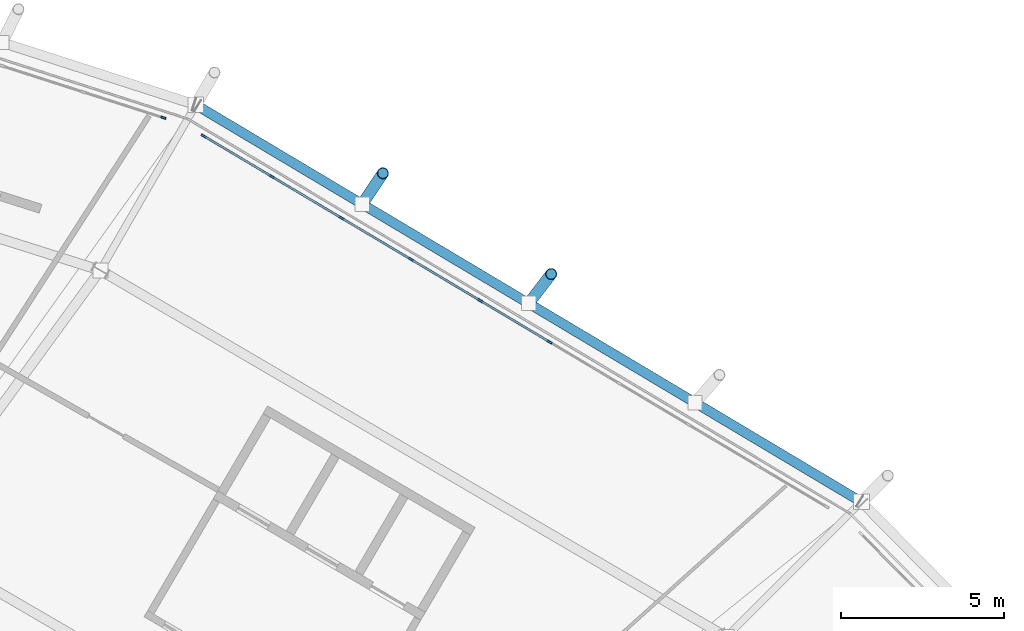
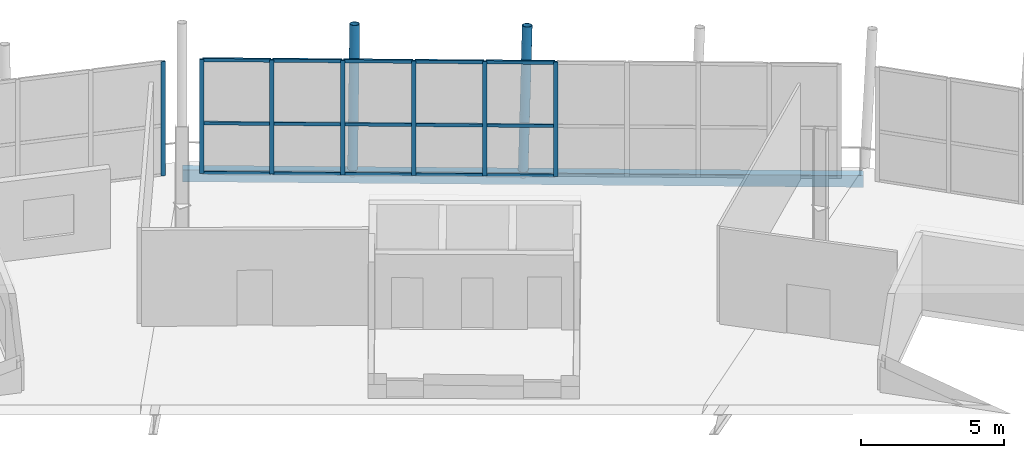
# One storey, part 51 of 99: 24 members, 1 beam, 2 elements without a shape of their own.
"""IFC4 building model written with IfcOpenShell, lengths in metres."""

from ifc_helpers import new_model, si_unit, direction, frame, origin, origin_2d, place, context, subcontext, project, spatial, rectangle, hollow_rectangle, hollow_circle, extrude, material, material_profile, profile_set, type_object, element, aggregate, save


model = new_model("IFC4")

# Units and contexts
model_context = context("Model", 3, precision=1e-05, world=origin(), true_north=direction((0.0, 1.0)))
body_context = subcontext(model_context, "Body", "Model", "MODEL_VIEW")
ifc_project = project(units=[si_unit("LENGTHUNIT", "METRE"), si_unit("AREAUNIT", "SQUARE_METRE"), si_unit("VOLUMEUNIT", "CUBIC_METRE"), si_unit("PLANEANGLEUNIT", "RADIAN"), si_unit("MASSUNIT", "GRAM", prefix="KILO")], contexts=[model_context])

# Site, building, storey
site_placement = place(None, origin())
site = spatial("IfcSite", under=ifc_project, at=site_placement, CompositionType="ELEMENT")
building_placement = place(site_placement, origin())
building = spatial("IfcBuilding", under=site, at=building_placement, Name="Zlatoyarsky Gate Stadium", CompositionType="ELEMENT")
storey_placement = place(building_placement, frame((0.0, 0.0, 26.199951171875)))
storey = spatial("IfcBuildingStorey", under=building, at=storey_placement, Name="L05", CompositionType="ELEMENT", Elevation=26.199951171875)

# Curtain wall, members
ifc_material_1 = material(Name="Thermally broken anodised aluminium curtain wall", Category="aluminium")
curtain_wall_type = type_object("IfcCurtainWallType", Name="UNITISED SKYBOX RING GLAZING L05", PredefinedType="USERDEFINED", material=ifc_material_1)
curtain_wall_1_placement = place(storey_placement, origin())
curtain_wall_1 = element("IfcCurtainWall", 1, at=curtain_wall_1_placement, inside=storey, type_object=curtain_wall_type, Name="Curtain wall CW-L05-03", ObjectType="UNITISED GLAZING", PredefinedType="USERDEFINED")
ifc_material_2 = material(Name="Anodised aluminium 6063-T6", Category="aluminium")
ifc_material_profile_1 = material_profile(ifc_material_2, rectangle(XDim=0.06494140625, YDim=0.159912109375, at=origin_2d()), Name="ALU 65X160")
ifc_profile_set_1 = profile_set([ifc_material_profile_1], Name="Anodised aluminium 6063-T6")
member_type_1 = type_object("IfcMemberType", Name="ALUMINIUM MULLION 65X160", PredefinedType="MULLION", material=ifc_profile_set_1)
member_1_placement = place(storey_placement, frame((171.3232421875, 139.283447265625, 0.0), z_axis=(0.0, 0.0, 1.0), x_axis=(-0.511577166542, -0.859237337802, 0.0)))
member_1 = element("IfcMember", 2, at=member_1_placement, type_object=member_type_1, Name="CW-UG5 mullion 5", PredefinedType="MULLION", context=body_context, shape_type="SweptSolid", body=[
    extrude(rectangle(XDim=0.06494140625, YDim=0.159912109375, at=origin_2d()), origin(), (0.0, 0.0, 1.0), 4.880126953125),
])
member_2_placement = place(storey_placement, frame((169.188232421875, 140.5546875, 0.0), z_axis=(0.0, 0.0, 1.0), x_axis=(-0.511577166542, -0.859237337802, 0.0)))
member_2 = element("IfcMember", 3, at=member_2_placement, type_object=member_type_1, Name="CW-UG5 mullion 6", PredefinedType="MULLION", context=body_context, shape_type="SweptSolid", body=[
    extrude(rectangle(XDim=0.06494140625, YDim=0.159912109375, at=origin_2d()), origin(), (0.0, 0.0, 1.0), 4.880126953125),
])
member_3_placement = place(storey_placement, frame((167.052978515625, 141.825927734375, 0.0), z_axis=(0.0, 0.0, 1.0), x_axis=(-0.511577166542, -0.859237337802, 0.0)))
member_3 = element("IfcMember", 4, at=member_3_placement, type_object=member_type_1, Name="CW-UG5 mullion 7", PredefinedType="MULLION", context=body_context, shape_type="SweptSolid", body=[
    extrude(rectangle(XDim=0.06494140625, YDim=0.159912109375, at=origin_2d()), origin(), (0.0, 0.0, 1.0), 4.880126953125),
])
member_4_placement = place(storey_placement, frame((164.91796875, 143.09716796875, 0.0), z_axis=(0.0, 0.0, 1.0), x_axis=(-0.511577166542, -0.859237337802, 0.0)))
member_4 = element("IfcMember", 5, at=member_4_placement, type_object=member_type_1, Name="CW-UG5 mullion 8", PredefinedType="MULLION", context=body_context, shape_type="SweptSolid", body=[
    extrude(rectangle(XDim=0.06494140625, YDim=0.159912109375, at=origin_2d()), origin(), (0.0, 0.0, 1.0), 4.880126953125),
])
member_5_placement = place(storey_placement, frame((162.78271484375, 144.368408203125, 0.0), z_axis=(0.0, 0.0, 1.0), x_axis=(-0.511577166542, -0.859237337802, 0.0)))
member_5 = element("IfcMember", 6, at=member_5_placement, type_object=member_type_1, Name="CW-UG5 mullion 9", PredefinedType="MULLION", context=body_context, shape_type="SweptSolid", body=[
    extrude(rectangle(XDim=0.06494140625, YDim=0.159912109375, at=origin_2d()), origin(), (0.0, 0.0, 1.0), 4.880126953125),
])
member_6_placement = place(storey_placement, frame((160.675537109375, 145.623046875, 0.0), z_axis=(0.0, 0.0, 1.0), x_axis=(-0.511577166542, -0.859237337802, 0.0)))
member_6 = element("IfcMember", 7, at=member_6_placement, type_object=member_type_1, Name="CW-UG5 mullion 10", PredefinedType="MULLION", context=body_context, shape_type="SweptSolid", body=[
    extrude(rectangle(XDim=0.06494140625, YDim=0.159912109375, at=origin_2d()), origin(), (0.0, 0.0, 1.0), 4.880126953125),
])

# Curtain wall, member
curtain_wall_2_placement = place(storey_placement, origin())
curtain_wall_2 = element("IfcCurtainWall", 8, at=curtain_wall_2_placement, inside=storey, type_object=curtain_wall_type, Name="Curtain wall CW-L05-04", ObjectType="UNITISED GLAZING", PredefinedType="USERDEFINED")
member_7_placement = place(storey_placement, frame((159.439453125, 146.18115234375, 0.0), z_axis=(0.0, 0.0, 1.0), x_axis=(-0.305978007283, -0.952038580657, 0.0)))
member_7 = element("IfcMember", 9, at=member_7_placement, type_object=member_type_1, Name="CW-UG5 mullion 1", PredefinedType="MULLION", context=body_context, shape_type="SweptSolid", body=[
    extrude(rectangle(XDim=0.06494140625, YDim=0.159912109375, at=origin_2d()), origin(), (0.0, 0.0, 1.0), 4.880126953125),
])
aggregate(curtain_wall_2, [member_7])

# Member
ifc_material_profile_2 = material_profile(ifc_material_2, rectangle(XDim=0.06494140625, YDim=0.139892578125, at=origin_2d()), Name="ALU 65X140")
ifc_profile_set_2 = profile_set([ifc_material_profile_2], Name="Anodised aluminium 6063-T6")
member_type_2 = type_object("IfcMemberType", Name="ALUMINIUM TRANSOM 65X140", PredefinedType="USERDEFINED", material=ifc_profile_set_2)
member_8_placement = place(storey_placement, frame((171.29541015625, 139.300048828125, 0.032470703125), z_axis=(-0.859232702525, 0.511584951803, 0.0), x_axis=(-0.511584951803, -0.859232702525, 0.0)))
member_8 = element("IfcMember", 10, at=member_8_placement, type_object=member_type_2, Name="CW-UG5 transom 5.1", ObjectType="TRANSOM", PredefinedType="USERDEFINED", context=body_context, shape_type="SweptSolid", body=[
    extrude(rectangle(XDim=0.06494140625, YDim=0.139892578125, at=origin_2d()), origin(), (0.0, 0.0, 1.0), 2.419921875),
])

member_9_placement = place(storey_placement, frame((171.29541015625, 139.300048828125, 2.150146484375), z_axis=(-0.859232702525, 0.511584951803, 0.0), x_axis=(-0.511584951803, -0.859232702525, 0.0)))
member_9 = element("IfcMember", 11, at=member_9_placement, type_object=member_type_2, Name="CW-UG5 transom 5.2", ObjectType="TRANSOM", PredefinedType="USERDEFINED", context=body_context, shape_type="SweptSolid", body=[
    extrude(rectangle(XDim=0.06494140625, YDim=0.139892578125, at=origin_2d()), origin(), (0.0, 0.0, 1.0), 2.419921875),
])

member_10_placement = place(storey_placement, frame((171.29541015625, 139.300048828125, 4.84765625), z_axis=(-0.859232702525, 0.511584951803, 0.0), x_axis=(-0.511584951803, -0.859232702525, 0.0)))
member_10 = element("IfcMember", 12, at=member_10_placement, type_object=member_type_2, Name="CW-UG5 transom 5.3", ObjectType="TRANSOM", PredefinedType="USERDEFINED", context=body_context, shape_type="SweptSolid", body=[
    extrude(rectangle(XDim=0.06494140625, YDim=0.139892578125, at=origin_2d()), origin(), (0.0, 0.0, 1.0), 2.419921875),
])

member_11_placement = place(storey_placement, frame((169.16015625, 140.5712890625, 0.032470703125), z_axis=(-0.859206295703, 0.511629300788, 0.0), x_axis=(-0.511629300788, -0.859206295703, 0.0)))
member_11 = element("IfcMember", 13, at=member_11_placement, type_object=member_type_2, Name="CW-UG5 transom 6.1", ObjectType="TRANSOM", PredefinedType="USERDEFINED", context=body_context, shape_type="SweptSolid", body=[
    extrude(rectangle(XDim=0.06494140625, YDim=0.139892578125, at=origin_2d()), origin(), (0.0, 0.0, 1.0), 2.419677734375),
])

member_12_placement = place(storey_placement, frame((169.16015625, 140.5712890625, 2.150146484375), z_axis=(-0.859206295703, 0.511629300788, 0.0), x_axis=(-0.511629300788, -0.859206295703, 0.0)))
member_12 = element("IfcMember", 14, at=member_12_placement, type_object=member_type_2, Name="CW-UG5 transom 6.2", ObjectType="TRANSOM", PredefinedType="USERDEFINED", context=body_context, shape_type="SweptSolid", body=[
    extrude(rectangle(XDim=0.06494140625, YDim=0.139892578125, at=origin_2d()), origin(), (0.0, 0.0, 1.0), 2.419677734375),
])

member_13_placement = place(storey_placement, frame((169.16015625, 140.5712890625, 4.84765625), z_axis=(-0.859206295703, 0.511629300788, 0.0), x_axis=(-0.511629300788, -0.859206295703, 0.0)))
member_13 = element("IfcMember", 15, at=member_13_placement, type_object=member_type_2, Name="CW-UG5 transom 6.3", ObjectType="TRANSOM", PredefinedType="USERDEFINED", context=body_context, shape_type="SweptSolid", body=[
    extrude(rectangle(XDim=0.06494140625, YDim=0.139892578125, at=origin_2d()), origin(), (0.0, 0.0, 1.0), 2.419677734375),
])

member_14_placement = place(storey_placement, frame((167.025146484375, 141.842529296875, 0.032470703125), z_axis=(-0.859232702525, 0.511584951803, 0.0), x_axis=(-0.511584951803, -0.859232702525, 0.0)))
member_14 = element("IfcMember", 16, at=member_14_placement, type_object=member_type_2, Name="CW-UG5 transom 7.1", ObjectType="TRANSOM", PredefinedType="USERDEFINED", context=body_context, shape_type="SweptSolid", body=[
    extrude(rectangle(XDim=0.06494140625, YDim=0.139892578125, at=origin_2d()), origin(), (0.0, 0.0, 1.0), 2.419921875),
])

member_15_placement = place(storey_placement, frame((167.025146484375, 141.842529296875, 2.150146484375), z_axis=(-0.859232702525, 0.511584951803, 0.0), x_axis=(-0.511584951803, -0.859232702525, 0.0)))
member_15 = element("IfcMember", 17, at=member_15_placement, type_object=member_type_2, Name="CW-UG5 transom 7.2", ObjectType="TRANSOM", PredefinedType="USERDEFINED", context=body_context, shape_type="SweptSolid", body=[
    extrude(rectangle(XDim=0.06494140625, YDim=0.139892578125, at=origin_2d()), origin(), (0.0, 0.0, 1.0), 2.419921875),
])

member_16_placement = place(storey_placement, frame((167.025146484375, 141.842529296875, 4.84765625), z_axis=(-0.859232702525, 0.511584951803, 0.0), x_axis=(-0.511584951803, -0.859232702525, 0.0)))
member_16 = element("IfcMember", 18, at=member_16_placement, type_object=member_type_2, Name="CW-UG5 transom 7.3", ObjectType="TRANSOM", PredefinedType="USERDEFINED", context=body_context, shape_type="SweptSolid", body=[
    extrude(rectangle(XDim=0.06494140625, YDim=0.139892578125, at=origin_2d()), origin(), (0.0, 0.0, 1.0), 2.419921875),
])

member_17_placement = place(storey_placement, frame((164.889892578125, 143.11376953125, 0.032470703125), z_axis=(-0.859206295703, 0.511629300788, 0.0), x_axis=(-0.511629300788, -0.859206295703, 0.0)))
member_17 = element("IfcMember", 19, at=member_17_placement, type_object=member_type_2, Name="CW-UG5 transom 8.1", ObjectType="TRANSOM", PredefinedType="USERDEFINED", context=body_context, shape_type="SweptSolid", body=[
    extrude(rectangle(XDim=0.06494140625, YDim=0.139892578125, at=origin_2d()), origin(), (0.0, 0.0, 1.0), 2.419677734375),
])

member_18_placement = place(storey_placement, frame((164.889892578125, 143.11376953125, 2.150146484375), z_axis=(-0.859206295703, 0.511629300788, 0.0), x_axis=(-0.511629300788, -0.859206295703, 0.0)))
member_18 = element("IfcMember", 20, at=member_18_placement, type_object=member_type_2, Name="CW-UG5 transom 8.2", ObjectType="TRANSOM", PredefinedType="USERDEFINED", context=body_context, shape_type="SweptSolid", body=[
    extrude(rectangle(XDim=0.06494140625, YDim=0.139892578125, at=origin_2d()), origin(), (0.0, 0.0, 1.0), 2.419677734375),
])

member_19_placement = place(storey_placement, frame((164.889892578125, 143.11376953125, 4.84765625), z_axis=(-0.859206295703, 0.511629300788, 0.0), x_axis=(-0.511629300788, -0.859206295703, 0.0)))
member_19 = element("IfcMember", 21, at=member_19_placement, type_object=member_type_2, Name="CW-UG5 transom 8.3", ObjectType="TRANSOM", PredefinedType="USERDEFINED", context=body_context, shape_type="SweptSolid", body=[
    extrude(rectangle(XDim=0.06494140625, YDim=0.139892578125, at=origin_2d()), origin(), (0.0, 0.0, 1.0), 2.419677734375),
])

member_20_placement = place(storey_placement, frame((162.7548828125, 144.385009765625, 0.032470703125), z_axis=(-0.859238307088, 0.511575538541, 0.0), x_axis=(-0.511575538541, -0.859238307088, 0.0)))
member_20 = element("IfcMember", 22, at=member_20_placement, type_object=member_type_2, Name="CW-UG5 transom 9.1", ObjectType="TRANSOM", PredefinedType="USERDEFINED", context=body_context, shape_type="SweptSolid", body=[
    extrude(rectangle(XDim=0.06494140625, YDim=0.139892578125, at=origin_2d()), origin(), (0.0, 0.0, 1.0), 2.3876953125),
])

member_21_placement = place(storey_placement, frame((162.7548828125, 144.385009765625, 2.150146484375), z_axis=(-0.859238307088, 0.511575538541, 0.0), x_axis=(-0.511575538541, -0.859238307088, 0.0)))
member_21 = element("IfcMember", 23, at=member_21_placement, type_object=member_type_2, Name="CW-UG5 transom 9.2", ObjectType="TRANSOM", PredefinedType="USERDEFINED", context=body_context, shape_type="SweptSolid", body=[
    extrude(rectangle(XDim=0.06494140625, YDim=0.139892578125, at=origin_2d()), origin(), (0.0, 0.0, 1.0), 2.3876953125),
])

member_22_placement = place(storey_placement, frame((162.7548828125, 144.385009765625, 4.84765625), z_axis=(-0.859238307088, 0.511575538541, 0.0), x_axis=(-0.511575538541, -0.859238307088, 0.0)))
member_22 = element("IfcMember", 24, at=member_22_placement, type_object=member_type_2, Name="CW-UG5 transom 9.3", ObjectType="TRANSOM", PredefinedType="USERDEFINED", context=body_context, shape_type="SweptSolid", body=[
    extrude(rectangle(XDim=0.06494140625, YDim=0.139892578125, at=origin_2d()), origin(), (0.0, 0.0, 1.0), 2.3876953125),
])

aggregate(curtain_wall_1, [member_1, member_2, member_3, member_4, member_5, member_6, member_8, member_9, member_10, member_11, member_12, member_13, member_14, member_15, member_16, member_17, member_18, member_19, member_20, member_21, member_22])

# Members
ifc_material_3 = material(Name="Steel S355", Category="steel")
ifc_material_profile_3 = material_profile(ifc_material_3, hollow_circle(Radius=0.177734375, WallThickness=0.02001953125, at=origin_2d()), Name="CHS 355.6X20")
ifc_profile_set_3 = profile_set([ifc_material_profile_3], Name="Steel S355")
member_type_3 = type_object("IfcMemberType", Name="STEEL LEANING RIB RING STRUT CHS 355.6X20", PredefinedType="STRUT", material=ifc_profile_set_3)
member_23_placement = place(storey_placement, frame((170.67822265625, 140.4697265625, -0.510009765625), z_axis=(0.120172943804, 0.156580017913, 0.98032706867), x_axis=(-0.793292481997, 0.608840732875, 0.0)))
element("IfcMember", 25, at=member_23_placement, inside=storey, type_object=member_type_3, Name="Outward-leaning bowl louvre fin rib L05 03-2", PredefinedType="STRUT", context=body_context, shape_type="SweptSolid", body=[
    extrude(hollow_circle(Radius=0.177734375, WallThickness=0.02001953125, at=origin_2d()), origin(), (0.0, 0.0, 1.0), 5.773681640625),
])
member_24_placement = place(storey_placement, frame((165.55859375, 143.52392578125, -0.510009765625), z_axis=(0.109845641562, 0.164514777259, 0.980239166272), x_axis=(-0.83165549014, 0.555291946385, 0.0)))
element("IfcMember", 26, at=member_24_placement, inside=storey, type_object=member_type_3, Name="Outward-leaning bowl louvre fin rib L05 03-3", PredefinedType="STRUT", context=body_context, shape_type="SweptSolid", body=[
    extrude(hollow_circle(Radius=0.177734375, WallThickness=0.02001953125, at=origin_2d()), origin(), (0.0, 0.0, 1.0), 5.774169921875),
])

# Beam
ifc_material_profile_4 = material_profile(ifc_material_3, hollow_rectangle(XDim=0.300048828125, YDim=0.5, WallThickness=0.02001953125, at=origin_2d()), Name="RHS 500X300X20")
ifc_profile_set_4 = profile_set([ifc_material_profile_4], Name="Steel S355")
beam_type = type_object("IfcBeamType", Name="STEEL LOUVRE CARRIER SPANDREL RHS 500X300X20", PredefinedType="SPANDREL", material=ifc_profile_set_4)
beam_placement = place(storey_placement, frame((180.900146484375, 134.37109375, -0.510009765625), z_axis=(-0.858774302963, 0.51235407344, 0.0), x_axis=(-0.51235407344, -0.858774302963, 0.0)))
element("IfcBeam", 27, at=beam_placement, inside=storey, type_object=beam_type, Name="Beam SP-RHS500 BM-L05-SPD-03", PredefinedType="SPANDREL", context=body_context, shape_type="SweptSolid", body=[
    extrude(hollow_rectangle(XDim=0.300048828125, YDim=0.5, WallThickness=0.02001953125, at=origin_2d()), origin(), (0.0, 0.0, 1.0), 23.805908203125),
])

save(model, "model.ifc")
